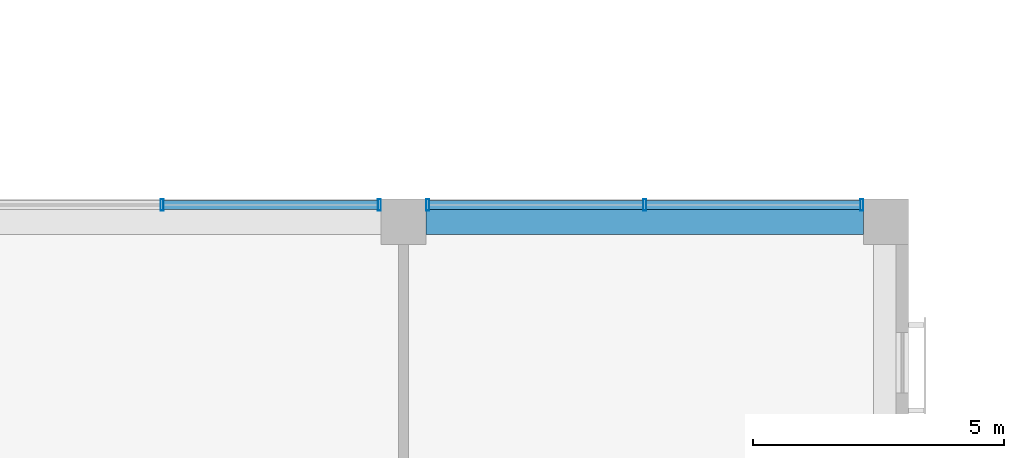
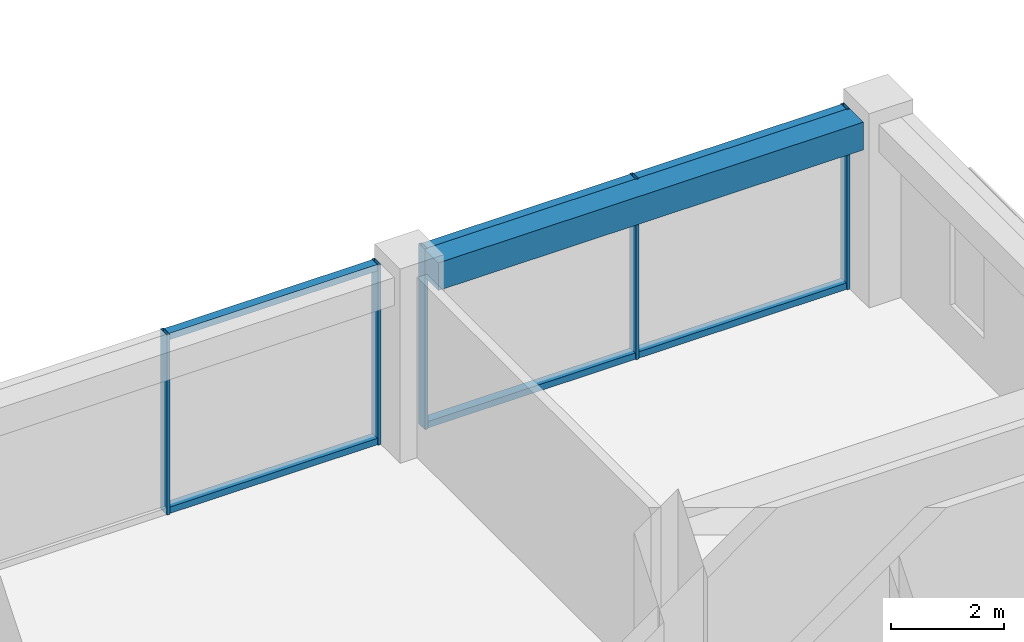
# One storey, part 24 of 36: 11 members, 1 beam, 2 elements without a shape of their own.
"""IFC4 building model written with IfcOpenShell, lengths in metres."""

from ifc_helpers import new_model, si_unit, direction, frame, origin, origin_2d, place, context, subcontext, project, spatial, rectangle, hollow_rectangle, extrude, material, layer, layer_set, material_profile, profile_set, type_object, element, aggregate, save


model = new_model("IFC4")

# Units and contexts
model_context = context("Model", 3, precision=1e-05, world=origin(), true_north=direction((0.0, 1.0)))
body_context = subcontext(model_context, "Body", "Model", "MODEL_VIEW")
ifc_project = project(units=[si_unit("LENGTHUNIT", "METRE"), si_unit("AREAUNIT", "SQUARE_METRE"), si_unit("VOLUMEUNIT", "CUBIC_METRE"), si_unit("PLANEANGLEUNIT", "RADIAN"), si_unit("MASSUNIT", "GRAM", prefix="KILO")], contexts=[model_context])

# Site, building, storey
site_placement = place(None, origin())
site = spatial("IfcSite", under=ifc_project, at=site_placement, CompositionType="ELEMENT")
building_placement = place(site_placement, origin())
building = spatial("IfcBuilding", under=site, at=building_placement, Name="Nzadi Deep Aquarium and Research Tower", CompositionType="ELEMENT")
storey_placement = place(building_placement, frame((0.0, 0.0, 36.10009765625)))
storey = spatial("IfcBuildingStorey", under=building, at=storey_placement, Name="L06", CompositionType="ELEMENT", Elevation=36.10009765625)

# Curtain wall, members
ifc_material_1 = material(Name="Aluminium unitised frame deep", Category="aluminium")
ifc_layer = layer(ifc_material_1, 0.22509765625)
ifc_layer_set = layer_set([ifc_layer], Name="Aluminium unitised frame deep")
curtain_wall_type = type_object("IfcCurtainWallType", Name="Curtain wall Unitised Deep 225", PredefinedType="NOTDEFINED", material=ifc_layer_set)
curtain_wall_1_placement = place(storey_placement, origin())
curtain_wall_1 = element("IfcCurtainWall", 1, at=curtain_wall_1_placement, inside=storey, type_object=curtain_wall_type, Name="Unitised curtain wall blade B north L06", PredefinedType="NOTDEFINED")
ifc_material_2 = material(Name="Aluminium unitised frame deep", Category="aluminium")
ifc_material_profile_1 = material_profile(ifc_material_2, hollow_rectangle(XDim=0.22509765625, YDim=0.06005859375, WallThickness=0.0048828125, at=origin_2d()))
ifc_profile_set_1 = profile_set([ifc_material_profile_1], Name="Aluminium unitised frame deep")
member_type_1 = type_object("IfcMemberType", Name="Mullion 60x225 Unitised Deep", PredefinedType="MULLION", material=ifc_profile_set_1)
member_1_placement = place(storey_placement, frame((33.60009765625, 46.33740234375, 0.0), z_axis=(0.0, 0.0, 1.0), x_axis=(0.0, 1.0, 0.0)))
member_1 = element("IfcMember", 2, at=member_1_placement, type_object=member_type_1, Name="CW096 mullion 2", PredefinedType="MULLION", context=body_context, shape_type="SweptSolid", body=[
    extrude(hollow_rectangle(XDim=0.22509765625, YDim=0.06005859375, WallThickness=0.0048828125, at=origin_2d()), origin(), (0.0, 0.0, 1.0), 3.89990234375),
])
member_2_placement = place(storey_placement, frame((37.919921875, 46.33740234375, 0.0), z_axis=(0.0, 0.0, 1.0), x_axis=(0.0, 1.0, 0.0)))
member_2 = element("IfcMember", 3, at=member_2_placement, type_object=member_type_1, Name="CW096 mullion 3", PredefinedType="MULLION", context=body_context, shape_type="SweptSolid", body=[
    extrude(hollow_rectangle(XDim=0.22509765625, YDim=0.06005859375, WallThickness=0.0048828125, at=origin_2d()), origin(), (0.0, 0.0, 1.0), 3.89990234375),
])

curtain_wall_2_placement = place(storey_placement, origin())
curtain_wall_2 = element("IfcCurtainWall", 4, at=curtain_wall_2_placement, inside=storey, type_object=curtain_wall_type, Name="Unitised curtain wall blade B north L06", PredefinedType="NOTDEFINED")
member_3_placement = place(storey_placement, frame((38.8798828125, 46.33740234375, 0.0), z_axis=(0.0, 0.0, 1.0), x_axis=(0.0, 1.0, 0.0)))
member_3 = element("IfcMember", 5, at=member_3_placement, type_object=member_type_1, Name="CW097 mullion 1", PredefinedType="MULLION", context=body_context, shape_type="SweptSolid", body=[
    extrude(hollow_rectangle(XDim=0.22509765625, YDim=0.06005859375, WallThickness=0.0048828125, at=origin_2d()), origin(), (0.0, 0.0, 1.0), 3.89990234375),
])
member_4_placement = place(storey_placement, frame((43.199951171875, 46.33740234375, 0.0), z_axis=(0.0, 0.0, 1.0), x_axis=(0.0, 1.0, 0.0)))
member_4 = element("IfcMember", 6, at=member_4_placement, type_object=member_type_1, Name="CW097 mullion 2", PredefinedType="MULLION", context=body_context, shape_type="SweptSolid", body=[
    extrude(hollow_rectangle(XDim=0.22509765625, YDim=0.06005859375, WallThickness=0.0048828125, at=origin_2d()), origin(), (0.0, 0.0, 1.0), 3.89990234375),
])
member_5_placement = place(storey_placement, frame((47.52001953125, 46.33740234375, 0.0), z_axis=(0.0, 0.0, 1.0), x_axis=(0.0, 1.0, 0.0)))
member_5 = element("IfcMember", 7, at=member_5_placement, type_object=member_type_1, Name="CW097 mullion 3", PredefinedType="MULLION", context=body_context, shape_type="SweptSolid", body=[
    extrude(hollow_rectangle(XDim=0.22509765625, YDim=0.06005859375, WallThickness=0.0048828125, at=origin_2d()), origin(), (0.0, 0.0, 1.0), 3.89990234375),
])

# Beam
ifc_material_3 = material(Name="Concrete C35/45", Category="concrete")
ifc_material_profile_2 = material_profile(ifc_material_3, rectangle(XDim=0.5, YDim=0.60009765625, at=origin_2d()))
ifc_profile_set_2 = profile_set([ifc_material_profile_2], Name="Concrete C35/45")
beam_type = type_object("IfcBeamType", Name="RC 500x600", PredefinedType="BEAM", material=ifc_profile_set_2)
beam_placement = place(storey_placement, frame((38.85009765625, 46.0, 3.599853515625), z_axis=(1.0, 0.0, 0.0), x_axis=(0.0, 1.0, 0.0)))
element("IfcBeam", 8, at=beam_placement, inside=storey, type_object=beam_type, Name="B-Z1-L06-L6-5", PredefinedType="BEAM", context=body_context, shape_type="SweptSolid", body=[
    extrude(rectangle(XDim=0.5, YDim=0.60009765625, at=origin_2d()), origin(), (0.0, 0.0, 1.0), 8.699951171875),
])

# Member
ifc_material_4 = material(Name="Aluminium unitised frame deep", Category="aluminium")
ifc_material_profile_3 = material_profile(ifc_material_4, hollow_rectangle(XDim=0.179931640625, YDim=0.139892578125, WallThickness=0.0048828125, at=origin_2d()))
ifc_profile_set_3 = profile_set([ifc_material_profile_3], Name="Aluminium unitised frame deep")
member_type_2 = type_object("IfcMemberType", Name="Transom 140x180 Unitised Deep", PredefinedType="MULLION", material=ifc_profile_set_3)
member_6_placement = place(storey_placement, frame((33.6298828125, 46.33740234375, 0.06982421875), z_axis=(1.0, 0.0, 0.0), x_axis=(0.0, 1.0, 0.0)))
member_6 = element("IfcMember", 9, at=member_6_placement, type_object=member_type_2, Name="CW096 transom 2.1", PredefinedType="MULLION", context=body_context, shape_type="SweptSolid", body=[
    extrude(hollow_rectangle(XDim=0.179931640625, YDim=0.139892578125, WallThickness=0.0048828125, at=origin_2d()), origin(), (0.0, 0.0, 1.0), 4.260009765625),
])

member_7_placement = place(storey_placement, frame((33.6298828125, 46.33740234375, 3.829833984375), z_axis=(1.0, 0.0, 0.0), x_axis=(0.0, 1.0, 0.0)))
member_7 = element("IfcMember", 10, at=member_7_placement, type_object=member_type_2, Name="CW096 transom 2.2", PredefinedType="MULLION", context=body_context, shape_type="SweptSolid", body=[
    extrude(hollow_rectangle(XDim=0.179931640625, YDim=0.139892578125, WallThickness=0.0048828125, at=origin_2d()), origin(), (0.0, 0.0, 1.0), 4.260009765625),
])

aggregate(curtain_wall_1, [member_1, member_2, member_6, member_7])

member_8_placement = place(storey_placement, frame((38.909912109375, 46.33740234375, 0.06982421875), z_axis=(1.0, 0.0, 0.0), x_axis=(0.0, 1.0, 0.0)))
member_8 = element("IfcMember", 11, at=member_8_placement, type_object=member_type_2, Name="CW097 transom 1.1", PredefinedType="MULLION", context=body_context, shape_type="SweptSolid", body=[
    extrude(hollow_rectangle(XDim=0.179931640625, YDim=0.139892578125, WallThickness=0.0048828125, at=origin_2d()), origin(), (0.0, 0.0, 1.0), 4.260009765625),
])

member_9_placement = place(storey_placement, frame((38.909912109375, 46.33740234375, 3.829833984375), z_axis=(1.0, 0.0, 0.0), x_axis=(0.0, 1.0, 0.0)))
member_9 = element("IfcMember", 12, at=member_9_placement, type_object=member_type_2, Name="CW097 transom 1.2", PredefinedType="MULLION", context=body_context, shape_type="SweptSolid", body=[
    extrude(hollow_rectangle(XDim=0.179931640625, YDim=0.139892578125, WallThickness=0.0048828125, at=origin_2d()), origin(), (0.0, 0.0, 1.0), 4.260009765625),
])

member_10_placement = place(storey_placement, frame((43.22998046875, 46.33740234375, 0.06982421875), z_axis=(1.0, 0.0, 0.0), x_axis=(0.0, 1.0, 0.0)))
member_10 = element("IfcMember", 13, at=member_10_placement, type_object=member_type_2, Name="CW097 transom 2.1", PredefinedType="MULLION", context=body_context, shape_type="SweptSolid", body=[
    extrude(hollow_rectangle(XDim=0.179931640625, YDim=0.139892578125, WallThickness=0.0048828125, at=origin_2d()), origin(), (0.0, 0.0, 1.0), 4.260009765625),
])

member_11_placement = place(storey_placement, frame((43.22998046875, 46.33740234375, 3.829833984375), z_axis=(1.0, 0.0, 0.0), x_axis=(0.0, 1.0, 0.0)))
member_11 = element("IfcMember", 14, at=member_11_placement, type_object=member_type_2, Name="CW097 transom 2.2", PredefinedType="MULLION", context=body_context, shape_type="SweptSolid", body=[
    extrude(hollow_rectangle(XDim=0.179931640625, YDim=0.139892578125, WallThickness=0.0048828125, at=origin_2d()), origin(), (0.0, 0.0, 1.0), 4.260009765625),
])

aggregate(curtain_wall_2, [member_3, member_4, member_5, member_8, member_9, member_10, member_11])

save(model, "model.ifc")
